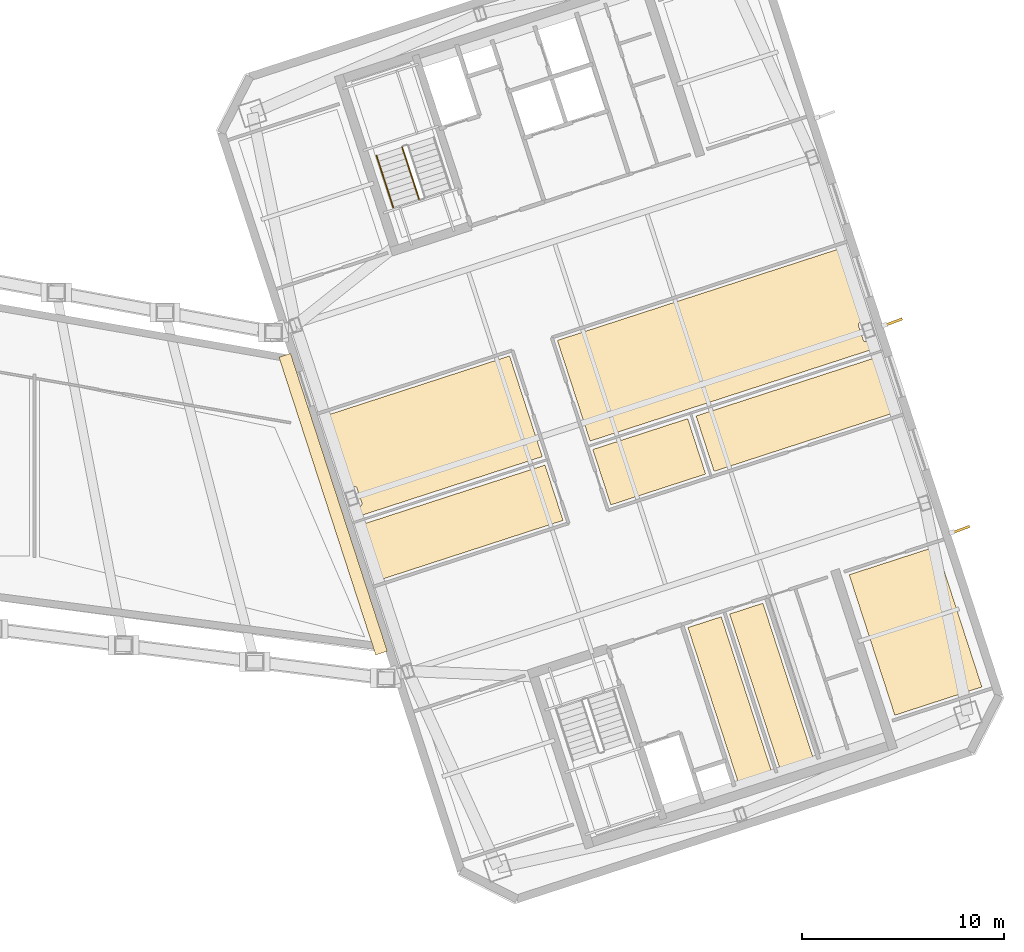
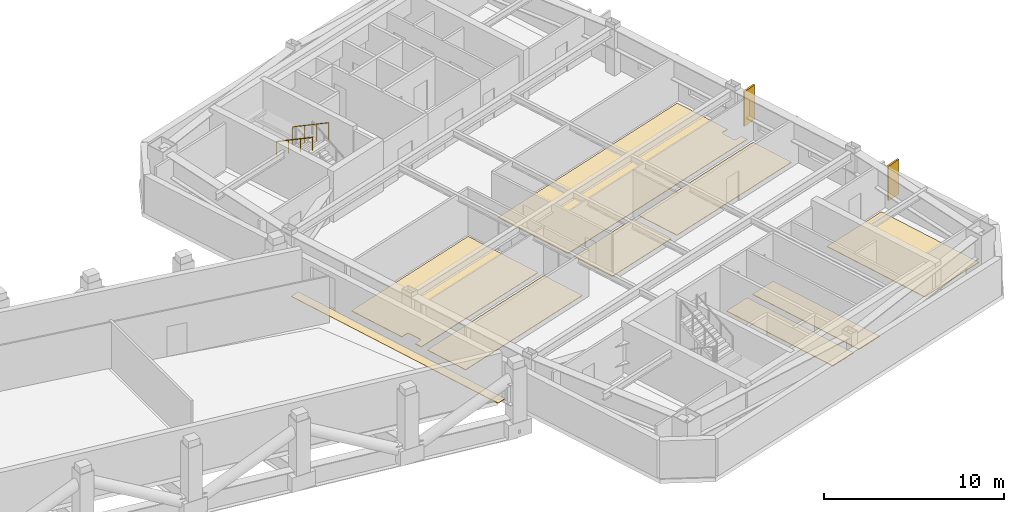
# One storey, part 18 of 19: 9 coverings, 2 railings, 2 shading devices.
"""IFC4 building model written with IfcOpenShell, lengths in metres."""

from ifc_helpers import new_model, si_unit, direction, frame, origin, origin_2d, place, context, subcontext, project, spatial, polyline, rectangle, circle, outline, extrude, material, layer, layer_set, type_object, element, save


model = new_model("IFC4")

# Units and contexts
model_context = context("Model", 3, precision=1e-05, world=origin(), true_north=direction((0.0, 1.0)))
body_context = subcontext(model_context, "Body", "Model", "MODEL_VIEW")
ifc_project = project(units=[si_unit("LENGTHUNIT", "METRE"), si_unit("AREAUNIT", "SQUARE_METRE"), si_unit("VOLUMEUNIT", "CUBIC_METRE"), si_unit("PLANEANGLEUNIT", "RADIAN"), si_unit("MASSUNIT", "GRAM", prefix="KILO")], contexts=[model_context])

# Site, building, storey
site_placement = place(None, origin())
site = spatial("IfcSite", under=ifc_project, at=site_placement, CompositionType="ELEMENT")
building_placement = place(site_placement, origin())
building = spatial("IfcBuilding", under=site, at=building_placement, Name="Qiaolan Cultural Towers", CompositionType="ELEMENT")
storey_placement = place(building_placement, frame((0.0, 0.0, 216.199951171875)))
storey = spatial("IfcBuildingStorey", under=building, at=storey_placement, Name="L58", CompositionType="ELEMENT", Elevation=216.199951171875)

# Coverings
ifc_material_1 = material(Name="Honed Terrazzo & Raised Access Flooring", Category="concrete")
ifc_layer_1 = layer(ifc_material_1, 0.0400390625)
ifc_layer_set_1 = layer_set([ifc_layer_1], Name="Honed Terrazzo & Raised Access Flooring")
covering_type_1 = type_object("IfcCoveringType", Name="COV-FLR-STONE", PredefinedType="FLOORING", material=ifc_layer_set_1)
covering_1_placement = place(storey_placement, origin())
element("IfcCovering", 1, at=covering_1_placement, inside=storey, type_object=covering_type_1, Name="L58 Document Print and Copy Room Finish Flooring", PredefinedType="FLOORING", context=body_context, shape_type="SweptSolid", body=[
    extrude(outline(polyline([(97.96826171875, 16.369384765625), (95.4990234375, 23.96826171875), (93.853759765625, 23.433837890625), (96.32275390625, 15.834716796875), (97.96826171875, 16.369384765625)])), origin(), (0.0, 0.0, 1.0), 0.0400390625),
])
covering_2_placement = place(storey_placement, origin())
element("IfcCovering", 2, at=covering_2_placement, inside=storey, type_object=covering_type_1, Name="L58 Staff Tea Pantry Finish Flooring", PredefinedType="FLOORING", context=body_context, shape_type="SweptSolid", body=[
    extrude(outline(polyline([(100.031982421875, 17.0400390625), (97.56298828125, 24.638916015625), (95.91748046875, 24.104248046875), (98.38671875, 16.50537109375), (100.031982421875, 17.0400390625)])), origin(), (0.0, 0.0, 1.0), 0.0400390625),
])
covering_3_placement = place(storey_placement, origin())
element("IfcCovering", 3, at=covering_3_placement, inside=storey, type_object=covering_type_1, Name="L58 Corner Botanical Lounge Finish Flooring", PredefinedType="FLOORING", context=body_context, shape_type="SweptSolid", body=[
    extrude(outline(polyline([(108.403564453125, 20.49609375), (106.144775390625, 27.4482421875), (101.83642578125, 26.048583984375), (104.095458984375, 19.09619140625), (108.403564453125, 20.49609375)])), origin(), (0.0, 0.0, 1.0), 0.0400390625),
])
covering_4_placement = place(storey_placement, origin())
element("IfcCovering", 4, at=covering_4_placement, inside=storey, type_object=covering_type_1, Name="L58 Sky Park Cultural Salon Finish Flooring", PredefinedType="FLOORING", context=body_context, shape_type="SweptSolid", body=[
    extrude(outline(polyline([(87.665771484375, 28.7412109375), (86.77587890625, 31.48046875), (77.536376953125, 28.478271484375), (78.42626953125, 25.7392578125), (87.665771484375, 28.7412109375)])), origin(), (0.0, 0.0, 1.0), 0.0400390625),
])
covering_5_placement = place(storey_placement, origin())
element("IfcCovering", 5, at=covering_5_placement, inside=storey, type_object=covering_type_1, Name="L58 Botanical Lounge Finish Flooring", PredefinedType="FLOORING", context=body_context, shape_type="SweptSolid", body=[
    extrude(outline(polyline([(76.94921875, 30.28515625), (77.320068359375, 30.40576171875), (77.33154296875, 30.408935546875), (77.343017578125, 30.410888671875), (77.354736328125, 30.41162109375), (77.366455078125, 30.411376953125), (77.378173828125, 30.40966796875), (77.3896484375, 30.4072265625), (77.40087890625, 30.4033203125), (77.41162109375, 30.398681640625), (77.421875, 30.392822265625), (77.431396484375, 30.385986328125), (77.4404296875, 30.378173828125), (77.448486328125, 30.36962890625), (77.45556640625, 30.3603515625), (77.4619140625, 30.350341796875), (77.467041015625, 30.33984375), (77.47119140625, 30.32861328125), (77.7060546875, 29.60595703125), (77.709228515625, 29.594482421875), (77.711181640625, 29.5830078125), (77.7119140625, 29.5712890625), (77.711669921875, 29.559326171875), (77.710205078125, 29.5478515625), (77.70751953125, 29.536376953125), (77.703857421875, 29.525146484375), (77.698974609375, 29.514404296875), (77.693115234375, 29.504150390625), (77.686279296875, 29.49462890625), (77.678466796875, 29.485595703125), (77.669921875, 29.4775390625), (77.66064453125, 29.470458984375), (77.650634765625, 29.464111328125), (77.64013671875, 29.458984375), (77.629150390625, 29.454833984375), (77.25830078125, 29.334228515625), (77.400390625, 28.896728515625), (86.639892578125, 31.89892578125), (85.0205078125, 36.88232421875), (75.781005859375, 33.88037109375), (76.94921875, 30.28515625)])), origin(), (0.0, 0.0, 1.0), 0.0400390625),
])
covering_6_placement = place(storey_placement, origin())
element("IfcCovering", 6, at=covering_6_placement, inside=storey, type_object=covering_type_1, Name="L58 Sky Gallery Gift Shop Finish Flooring", PredefinedType="FLOORING", context=body_context, shape_type="SweptSolid", body=[
    extrude(outline(polyline([(94.727294921875, 31.03564453125), (93.83740234375, 33.77490234375), (89.14404296875, 32.249755859375), (90.033935546875, 29.5107421875), (94.727294921875, 31.03564453125)])), origin(), (0.0, 0.0, 1.0), 0.0400390625),
])
covering_7_placement = place(storey_placement, origin())
element("IfcCovering", 7, at=covering_7_placement, inside=storey, type_object=covering_type_1, Name="L58 Curator Office Finish Flooring", PredefinedType="FLOORING", context=body_context, shape_type="SweptSolid", body=[
    extrude(outline(polyline([(104.218994140625, 34.11962890625), (103.328857421875, 36.85888671875), (94.255859375, 33.910888671875), (95.145751953125, 31.171630859375), (104.218994140625, 34.11962890625)])), origin(), (0.0, 0.0, 1.0), 0.0400390625),
])
covering_8_placement = place(storey_placement, origin())
element("IfcCovering", 8, at=covering_8_placement, inside=storey, type_object=covering_type_1, Name="L58 Curator Office Finish Flooring", PredefinedType="FLOORING", context=body_context, shape_type="SweptSolid", body=[
    extrude(outline(polyline([(103.05078125, 37.71484375), (102.679931640625, 37.59423828125), (102.66845703125, 37.591064453125), (102.656982421875, 37.589111328125), (102.645263671875, 37.58837890625), (102.633544921875, 37.588623046875), (102.621826171875, 37.59033203125), (102.6103515625, 37.5927734375), (102.59912109375, 37.5966796875), (102.58837890625, 37.601318359375), (102.578125, 37.607177734375), (102.568603515625, 37.614013671875), (102.5595703125, 37.621826171875), (102.551513671875, 37.63037109375), (102.54443359375, 37.6396484375), (102.5380859375, 37.649658203125), (102.532958984375, 37.66015625), (102.52880859375, 37.67138671875), (102.2939453125, 38.39404296875), (102.290771484375, 38.405517578125), (102.288818359375, 38.4169921875), (102.2880859375, 38.4287109375), (102.288330078125, 38.440673828125), (102.289794921875, 38.4521484375), (102.29248046875, 38.463623046875), (102.296142578125, 38.474853515625), (102.301025390625, 38.485595703125), (102.306884765625, 38.495849609375), (102.313720703125, 38.50537109375), (102.321533203125, 38.514404296875), (102.330078125, 38.5224609375), (102.33935546875, 38.529541015625), (102.349365234375, 38.535888671875), (102.35986328125, 38.541015625), (102.370849609375, 38.545166015625), (102.74169921875, 38.665771484375), (101.57373046875, 42.2607421875), (87.388671875, 37.65185546875), (89.008056640625, 32.668212890625), (103.19287109375, 37.27734375), (103.05078125, 37.71484375)])), origin(), (0.0, 0.0, 1.0), 0.0400390625),
])
ifc_material_2 = material(Name="TPO Waterproofing & Extruded Polystyrene Inverted Roof System", Category="bitumen")
ifc_layer_2 = layer(ifc_material_2, 0.080078125)
ifc_layer_set_2 = layer_set([ifc_layer_2], Name="TPO Waterproofing & Extruded Polystyrene Inverted Roof System")
covering_type_2 = type_object("IfcCoveringType", Name="COV-ROOF-MEMB", PredefinedType="ROOFING", material=ifc_layer_set_2)
covering_9_placement = place(storey_placement, frame((0.0, 0.0, -0.0400390625)))
element("IfcCovering", 9, at=covering_9_placement, inside=storey, type_object=covering_type_2, Name="L58 Sky Park Seismic Movement Joint Threshold Cover", PredefinedType="ROOFING", context=body_context, shape_type="SweptSolid", body=[
    extrude(outline(polyline([(78.395263671875, 22.08056640625), (78.966064453125, 22.26611328125), (74.17626953125, 37.00732421875), (73.60546875, 36.822021484375), (78.395263671875, 22.08056640625)])), origin(), (0.0, 0.0, 1.0), 0.0400390625),
])

# Railings
ifc_material_3 = material(Name="Galvanized Painted Steel Stair Guardrail", Category="steel")
railing_type_1 = type_object("IfcRailingType", Name="RL-STAIR-GRD", PredefinedType="GUARDRAIL", material=ifc_material_3)
railing_1_placement = place(storey_placement, frame((79.702392578125, 47.214599609375, 1.8974609375)))
element("IfcRailing", 10, at=railing_1_placement, inside=storey, type_object=railing_type_1, Name="L58 ST-E2 stair guard 3", PredefinedType="GUARDRAIL", context=body_context, shape_type="SweptSolid", body=[
    extrude(circle(Radius=0.02392578125, at=origin_2d()), frame((0.0, 0.0, 1.17578125), z_axis=(0.267925668498, -0.824471088726, 0.498460891159), x_axis=(0.951043371037, 0.309057448393, 0.0)), (0.0, 0.0, 1.0), 3.114501953125),
    extrude(circle(Radius=0.02099609375, at=origin_2d()), origin(), (0.0, 0.0, 1.0), 1.15185546875),
    extrude(circle(Radius=0.02099609375, at=origin_2d()), frame((0.278076171875, -0.85595703125, 0.517578125)), (0.0, 0.0, 1.0), 1.15185546875),
    extrude(circle(Radius=0.02099609375, at=origin_2d()), frame((0.556396484375, -1.7119140625, 1.034912109375)), (0.0, 0.0, 1.0), 1.15185546875),
    extrude(circle(Radius=0.02099609375, at=origin_2d()), frame((0.83447265625, -2.56787109375, 1.552490234375)), (0.0, 0.0, 1.0), 1.15185546875),
])
ifc_material_4 = material(Name="Stainless Steel S30408 Tubular Handrail", Category="steel")
railing_type_2 = type_object("IfcRailingType", Name="RL-STAIR-HR", PredefinedType="HANDRAIL", material=ifc_material_4)
railing_2_placement = place(storey_placement, frame((78.427978515625, 46.800537109375, 1.8974609375)))
element("IfcRailing", 11, at=railing_2_placement, inside=storey, type_object=railing_type_2, Name="L58 ST-E2 stair handrail 2", PredefinedType="HANDRAIL", context=body_context, shape_type="SweptSolid", body=[
    extrude(circle(Radius=0.02392578125, at=origin_2d()), frame((0.0, 0.0, 0.8759765625), z_axis=(0.267925668498, -0.824471088726, 0.498460891159), x_axis=(0.951043371037, 0.309057448393, 0.0)), (0.0, 0.0, 1.0), 3.114501953125),
    extrude(circle(Radius=0.02099609375, at=origin_2d()), origin(), (0.0, 0.0, 1.0), 0.851806640625),
    extrude(circle(Radius=0.02099609375, at=origin_2d()), frame((0.278076171875, -0.85595703125, 0.517578125)), (0.0, 0.0, 1.0), 0.851806640625),
    extrude(circle(Radius=0.02099609375, at=origin_2d()), frame((0.556396484375, -1.7119140625, 1.034912109375)), (0.0, 0.0, 1.0), 0.851806640625),
    extrude(circle(Radius=0.02099609375, at=origin_2d()), frame((0.83447265625, -2.56787109375, 1.552490234375)), (0.0, 0.0, 1.0), 0.851806640625),
])

# Shading devices
ifc_material_5 = material(Name="Light Limestone Precast Vertical Fin", Category="masonry")
ifc_layer_3 = layer(ifc_material_5, 0.1201171875)
ifc_layer_set_3 = layer_set([ifc_layer_3], Name="Light Limestone Precast Vertical Fin")
shading_device_type = type_object("IfcShadingDeviceType", Name="SHD-FIN-WHITE", PredefinedType="USERDEFINED", material=ifc_layer_set_3)
for number, where, z_axis, x_axis, name in (
    (12, (107.375, 28.289794921875, 0.10009765625), (0.0, 0.0, 1.0), (0.936030529583, 0.351918808376, 0.0), "L58 T2 Expressive Precast Vertical Fin E1"),
    (13, (104.03759765625, 38.56103515625, 0.10009765625), (0.0, 0.0, 1.0), (0.936030529583, 0.351918808376, 0.0), "L58 T2 Expressive Precast Vertical Fin E2"),
):
    element("IfcShadingDevice", number, at=place(storey_placement, frame(where, z_axis=z_axis, x_axis=x_axis)), inside=storey, type_object=shading_device_type, Name=name, ObjectType="FIN", PredefinedType="USERDEFINED", context=body_context, shape_type="SweptSolid", body=[
        extrude(rectangle(XDim=0.89990234375, YDim=0.1201171875, at=origin_2d()), origin(), (0.0, 0.0, 1.0), 2.35009765625),
    ])

save(model, "model.ifc")
